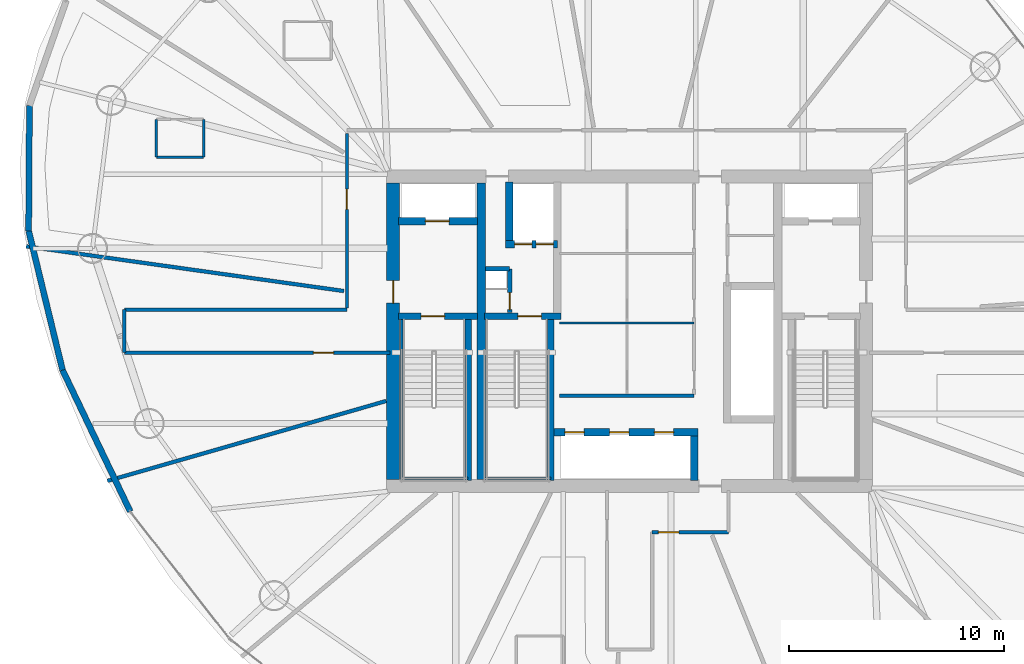
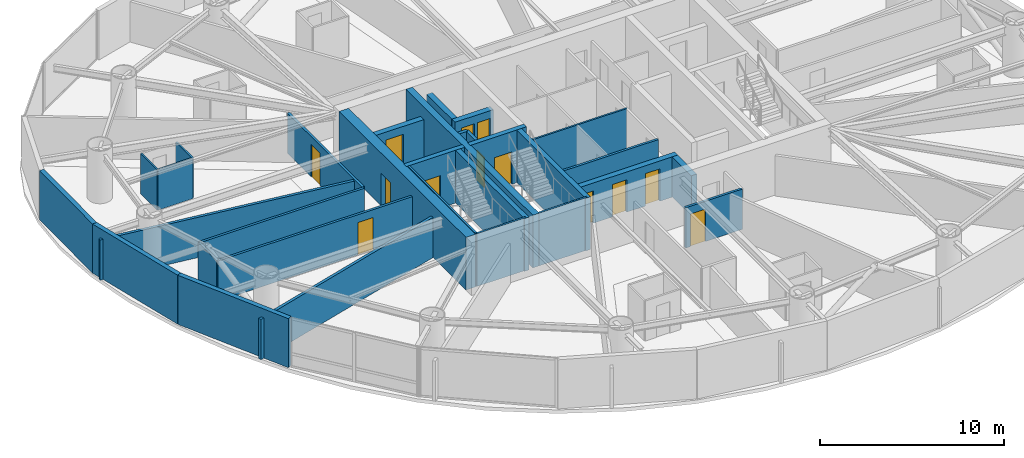
# One storey, part 14 of 20: 31 walls, 13 doors, 13 openings.
"""IFC4 building model written with IfcOpenShell, lengths in metres."""

from ifc_helpers import new_model, si_unit, direction, frame, frame_2d, origin, place, context, subcontext, project, spatial, rectangle, extrude, material, layer, layer_set, type_object, element, fill, save


model = new_model("IFC4")

# Units and contexts
model_context = context("Model", 3, precision=1e-05, world=origin(), true_north=direction((0.0, 1.0)))
body_context = subcontext(model_context, "Body", "Model", "MODEL_VIEW")
ifc_project = project(units=[si_unit("LENGTHUNIT", "METRE"), si_unit("AREAUNIT", "SQUARE_METRE"), si_unit("VOLUMEUNIT", "CUBIC_METRE"), si_unit("PLANEANGLEUNIT", "RADIAN"), si_unit("MASSUNIT", "GRAM", prefix="KILO")], contexts=[model_context])

# Site, building, storey
site_placement = place(None, origin())
site = spatial("IfcSite", under=ifc_project, at=site_placement, CompositionType="ELEMENT")
building_placement = place(site_placement, origin())
building = spatial("IfcBuilding", under=site, at=building_placement, Name="Bramvorn Convention Spire", CompositionType="ELEMENT")
storey_placement = place(building_placement, frame((0.0, 0.0, 151.800048828125)))
storey = spatial("IfcBuildingStorey", under=building, at=storey_placement, Name="L38", CompositionType="ELEMENT", Elevation=151.800048828125)

# Wall, opening, door
ifc_material_1 = material(Name="Concrete C60/70", Category="concrete")
ifc_layer_1 = layer(ifc_material_1, 0.60009765625)
ifc_layer_set_1 = layer_set([ifc_layer_1], Name="Concrete C60/70 - WL-CORE-600")
wall_type_1 = type_object("IfcWallType", Name="WL-CORE-600", PredefinedType="SHEAR", material=ifc_layer_set_1)
wall_1_placement = place(storey_placement, frame((27.0, 19.10009765625, 0.0), z_axis=(0.0, 0.0, 1.0), x_axis=(0.0, 1.0, 0.0)))
wall_1 = element("IfcWall", 1, at=wall_1_placement, inside=storey, type_object=wall_type_1, Name="L38 West RC core shear wall", PredefinedType="SHEAR", context=body_context, shape_type="SweptSolid", body=[
    extrude(rectangle(XDim=13.7998046875, YDim=0.60009765625, at=frame_2d((6.89990234375, 0.0))), origin(), (0.0, 0.0, 1.0), 3.5),
])
opening_1_placement = place(wall_1_placement, frame((8.199951171875, 0.0, 0.0)))
opening_1 = element("IfcOpeningElement", 2, at=opening_1_placement, cuts=wall_1, Name="Opening DL-105", PredefinedType="OPENING", context=body_context, shape_type="SweptSolid", body=[
    extrude(rectangle(XDim=1.050048828125, YDim=2.14990234375, at=frame_2d((0.52490234375, 1.074951171875))), frame((0.0, 0.31005859375, 0.0), z_axis=(0.0, -1.0, 0.0), x_axis=(1.0, 0.0, 0.0)), (0.0, 0.0, 1.0), 0.6201171875),
])
ifc_material_2 = material(Name="Smoke-Sealed Fire Lobby Timber-Core Door", Category="wood")
door_type_1 = type_object("IfcDoorType", Name="DR-LOBBY-1050", OperationType="NOTDEFINED", PredefinedType="DOOR", material=ifc_material_2)
door_1_placement = place(opening_1_placement, origin())
door_1 = element("IfcDoor", 3, at=door_1_placement, inside=storey, type_object=door_type_1, Name="L38 West Firefighting Lobby corridor door", OperationType="SINGLE_SWING_RIGHT", OverallHeight=2.14990234375, OverallWidth=1.050048828125, PredefinedType="DOOR", context=body_context, shape_type="SweptSolid", body=[
    extrude(rectangle(XDim=1.050048828125, YDim=2.14990234375, at=frame_2d((0.52490234375, 1.074951171875))), frame((0.0, 0.02490234375, 0.0), z_axis=(0.0, -1.0, 0.0), x_axis=(1.0, 0.0, 0.0)), (0.0, 0.0, 1.0), 0.050048828125),
])
fill(opening_1, door_1)

ifc_material_3 = material(Name="Concrete C50/60", Category="concrete")
ifc_layer_2 = layer(ifc_material_3, 0.35009765625)
ifc_layer_set_2 = layer_set([ifc_layer_2], Name="Concrete C50/60 - WL-CORE-INT-350")
wall_type_2 = type_object("IfcWallType", Name="WL-CORE-INT-350", PredefinedType="SHEAR", material=ifc_layer_set_2)
wall_2_placement = place(storey_placement, frame((27.25, 31.1201171875, 0.0), z_axis=(0.0, 0.0, 1.0), x_axis=(1.0, 0.0, 0.0)))
wall_2 = element("IfcWall", 4, at=wall_2_placement, inside=storey, type_object=wall_type_2, Name="L38 FE1 shaft front wall", PredefinedType="SHEAR", context=body_context, shape_type="SweptSolid", body=[
    extrude(rectangle(XDim=3.669921875, YDim=0.35009765625, at=frame_2d((1.8349609375, 0.0))), origin(), (0.0, 0.0, 1.0), 2.675048828125),
])
opening_2_placement = place(wall_2_placement, frame((1.25, 0.0, 0.0)))
opening_2 = element("IfcOpeningElement", 5, at=opening_2_placement, cuts=wall_2, Name="Opening LD-110", PredefinedType="OPENING", context=body_context, shape_type="SweptSolid", body=[
    extrude(rectangle(XDim=1.10009765625, YDim=2.14990234375, at=frame_2d((0.550048828125, 1.074951171875))), frame((0.0, 0.18505859375, 0.0), z_axis=(0.0, -1.0, 0.0), x_axis=(1.0, 0.0, 0.0)), (0.0, 0.0, 1.0), 0.3701171875),
])
ifc_material_4 = material(Name="Firefighting & Service Lift Sliding Landing Door", Category="steel")
door_type_2 = type_object("IfcDoorType", Name="DR-LIFT-LD-1100", OperationType="NOTDEFINED", PredefinedType="DOOR", material=ifc_material_4)
door_2_placement = place(opening_2_placement, origin())
door_2 = element("IfcDoor", 6, at=door_2_placement, inside=storey, type_object=door_type_2, Name="L38 Lift FE1 Sliding Landing Door", OperationType="SLIDING_TO_LEFT", OverallHeight=2.14990234375, OverallWidth=1.10009765625, PredefinedType="DOOR", context=body_context, shape_type="SweptSolid", body=[
    extrude(rectangle(XDim=1.10009765625, YDim=2.14990234375, at=frame_2d((0.550048828125, 1.074951171875))), frame((0.0, 0.02490234375, 0.0), z_axis=(0.0, -1.0, 0.0), x_axis=(1.0, 0.0, 0.0)), (0.0, 0.0, 1.0), 0.050048828125),
])
fill(opening_2, door_2)

# Wall, openings, doors
wall_3_placement = place(storey_placement, frame((32.22998046875, 30.050048828125, 0.0), z_axis=(0.0, 0.0, 1.0), x_axis=(1.0, 0.0, 0.0)))
wall_3 = element("IfcWall", 7, at=wall_3_placement, inside=storey, type_object=wall_type_2, Name="L38 SV1/SV2 shaft front wall", PredefinedType="SHEAR", context=body_context, shape_type="SweptSolid", body=[
    extrude(rectangle(XDim=2.409912109375, YDim=0.35009765625, at=frame_2d((1.205078125, 0.0))), origin(), (0.0, 0.0, 1.0), 2.675048828125),
])
opening_3_placement = place(wall_3_placement, frame((0.419921875, 0.0, 0.0)))
opening_3 = element("IfcOpeningElement", 8, at=opening_3_placement, cuts=wall_3, Name="Opening LD-080", PredefinedType="OPENING", context=body_context, shape_type="SweptSolid", body=[
    extrude(rectangle(XDim=0.800048828125, YDim=2.14990234375, at=frame_2d((0.39990234375, 1.074951171875))), frame((0.0, 0.18505859375, 0.0), z_axis=(0.0, -1.0, 0.0), x_axis=(1.0, 0.0, 0.0)), (0.0, 0.0, 1.0), 0.3701171875),
])
opening_4_placement = place(wall_3_placement, frame((1.419921875, 0.0, 0.0)))
opening_4 = element("IfcOpeningElement", 9, at=opening_4_placement, cuts=wall_3, Name="Opening LD-080", PredefinedType="OPENING", context=body_context, shape_type="SweptSolid", body=[
    extrude(rectangle(XDim=0.800048828125, YDim=2.14990234375, at=frame_2d((0.39990234375, 1.074951171875))), frame((0.0, 0.18505859375, 0.0), z_axis=(0.0, -1.0, 0.0), x_axis=(1.0, 0.0, 0.0)), (0.0, 0.0, 1.0), 0.3701171875),
])
ifc_material_5 = material(Name="Service Lift Bi-Parting Landing Door", Category="steel")
door_type_3 = type_object("IfcDoorType", Name="DR-LIFT-LD-800", OperationType="NOTDEFINED", PredefinedType="DOOR", material=ifc_material_5)
door_3_placement = place(opening_3_placement, origin())
door_3 = element("IfcDoor", 10, at=door_3_placement, inside=storey, type_object=door_type_3, Name="L38 Lift SV1 Sliding Landing Door", OperationType="SLIDING_TO_LEFT", OverallHeight=2.14990234375, OverallWidth=0.800048828125, PredefinedType="DOOR", context=body_context, shape_type="SweptSolid", body=[
    extrude(rectangle(XDim=0.800048828125, YDim=2.14990234375, at=frame_2d((0.39990234375, 1.074951171875))), frame((0.0, 0.02490234375, 0.0), z_axis=(0.0, -1.0, 0.0), x_axis=(1.0, 0.0, 0.0)), (0.0, 0.0, 1.0), 0.050048828125),
])
fill(opening_3, door_3)
door_4_placement = place(opening_4_placement, origin())
door_4 = element("IfcDoor", 11, at=door_4_placement, inside=storey, type_object=door_type_3, Name="L38 Lift SV2 Sliding Landing Door", OperationType="SLIDING_TO_LEFT", OverallHeight=2.14990234375, OverallWidth=0.800048828125, PredefinedType="DOOR", context=body_context, shape_type="SweptSolid", body=[
    extrude(rectangle(XDim=0.800048828125, YDim=2.14990234375, at=frame_2d((0.39990234375, 1.074951171875))), frame((0.0, 0.02490234375, 0.0), z_axis=(0.0, -1.0, 0.0), x_axis=(1.0, 0.0, 0.0)), (0.0, 0.0, 1.0), 0.050048828125),
])
fill(opening_4, door_4)

# Wall
wall_4_placement = place(storey_placement, frame((32.39990234375, 30.219970703125, 0.0), z_axis=(0.0, 0.0, 1.0), x_axis=(0.0, 1.0, 0.0)))
element("IfcWall", 12, at=wall_4_placement, inside=storey, type_object=wall_type_2, Name="L38 SV1 west hoistway wall", PredefinedType="SHEAR", context=body_context, shape_type="SweptSolid", body=[
    extrude(rectangle(XDim=2.72998046875, YDim=0.35009765625, at=frame_2d((1.364990234375, 0.0))), origin(), (0.0, 0.0, 1.0), 2.675048828125),
])

# Wall, openings, doors
wall_5_placement = place(storey_placement, frame((34.489990234375, 21.300048828125, 0.0), z_axis=(0.0, 0.0, 1.0), x_axis=(1.0, 0.0, 0.0)))
wall_5 = element("IfcWall", 13, at=wall_5_placement, inside=storey, type_object=wall_type_2, Name="L38 Mid-rise bank north landing wall", PredefinedType="SHEAR", context=body_context, shape_type="SweptSolid", body=[
    extrude(rectangle(XDim=6.679931640625, YDim=0.35009765625, at=frame_2d((3.33984375, 0.0))), origin(), (0.0, 0.0, 1.0), 2.675048828125),
])
opening_5_placement = place(wall_5_placement, frame((0.5, 0.0, 0.0)))
opening_5 = element("IfcOpeningElement", 14, at=opening_5_placement, cuts=wall_5, Name="Opening LD-090", PredefinedType="OPENING", context=body_context, shape_type="SweptSolid", body=[
    extrude(rectangle(XDim=0.89990234375, YDim=2.14990234375, at=frame_2d((0.449951171875, 1.074951171875))), frame((0.0, 0.18505859375, 0.0), z_axis=(0.0, -1.0, 0.0), x_axis=(1.0, 0.0, 0.0)), (0.0, 0.0, 1.0), 0.3701171875),
])
opening_6_placement = place(wall_5_placement, frame((2.580078125, 0.0, 0.0)))
opening_6 = element("IfcOpeningElement", 15, at=opening_6_placement, cuts=wall_5, Name="Opening LD-090", PredefinedType="OPENING", context=body_context, shape_type="SweptSolid", body=[
    extrude(rectangle(XDim=0.89990234375, YDim=2.14990234375, at=frame_2d((0.449951171875, 1.074951171875))), frame((0.0, 0.18505859375, 0.0), z_axis=(0.0, -1.0, 0.0), x_axis=(1.0, 0.0, 0.0)), (0.0, 0.0, 1.0), 0.3701171875),
])
opening_7_placement = place(wall_5_placement, frame((4.659912109375, 0.0, 0.0)))
opening_7 = element("IfcOpeningElement", 16, at=opening_7_placement, cuts=wall_5, Name="Opening LD-090", PredefinedType="OPENING", context=body_context, shape_type="SweptSolid", body=[
    extrude(rectangle(XDim=0.89990234375, YDim=2.14990234375, at=frame_2d((0.449951171875, 1.074951171875))), frame((0.0, 0.18505859375, 0.0), z_axis=(0.0, -1.0, 0.0), x_axis=(1.0, 0.0, 0.0)), (0.0, 0.0, 1.0), 0.3701171875),
])
ifc_material_6 = material(Name="Bi-Parting Fire-Rated Lift Landing Door", Category="steel")
door_type_4 = type_object("IfcDoorType", Name="DR-LIFT-LD-900", OperationType="NOTDEFINED", PredefinedType="DOOR", material=ifc_material_6)
door_5_placement = place(opening_5_placement, origin())
door_5 = element("IfcDoor", 17, at=door_5_placement, inside=storey, type_object=door_type_4, Name="L38 Lift PM1 Sliding Landing Door", OperationType="SLIDING_TO_LEFT", OverallHeight=2.14990234375, OverallWidth=0.89990234375, PredefinedType="DOOR", context=body_context, shape_type="SweptSolid", body=[
    extrude(rectangle(XDim=0.89990234375, YDim=2.14990234375, at=frame_2d((0.449951171875, 1.074951171875))), frame((0.0, 0.02490234375, 0.0), z_axis=(0.0, -1.0, 0.0), x_axis=(1.0, 0.0, 0.0)), (0.0, 0.0, 1.0), 0.050048828125),
])
fill(opening_5, door_5)
door_6_placement = place(opening_6_placement, origin())
door_6 = element("IfcDoor", 18, at=door_6_placement, inside=storey, type_object=door_type_4, Name="L38 Lift PM2 Sliding Landing Door", OperationType="SLIDING_TO_LEFT", OverallHeight=2.14990234375, OverallWidth=0.89990234375, PredefinedType="DOOR", context=body_context, shape_type="SweptSolid", body=[
    extrude(rectangle(XDim=0.89990234375, YDim=2.14990234375, at=frame_2d((0.449951171875, 1.074951171875))), frame((0.0, 0.02490234375, 0.0), z_axis=(0.0, -1.0, 0.0), x_axis=(1.0, 0.0, 0.0)), (0.0, 0.0, 1.0), 0.050048828125),
])
fill(opening_6, door_6)
door_7_placement = place(opening_7_placement, origin())
door_7 = element("IfcDoor", 19, at=door_7_placement, inside=storey, type_object=door_type_4, Name="L38 Lift PM3 Sliding Landing Door", OperationType="SLIDING_TO_LEFT", OverallHeight=2.14990234375, OverallWidth=0.89990234375, PredefinedType="DOOR", context=body_context, shape_type="SweptSolid", body=[
    extrude(rectangle(XDim=0.89990234375, YDim=2.14990234375, at=frame_2d((0.449951171875, 1.074951171875))), frame((0.0, 0.02490234375, 0.0), z_axis=(0.0, -1.0, 0.0), x_axis=(1.0, 0.0, 0.0)), (0.0, 0.0, 1.0), 0.050048828125),
])
fill(opening_7, door_7)

# Walls
wall_6_placement = place(storey_placement, frame((41.0, 19.050048828125, 0.0), z_axis=(0.0, 0.0, 1.0), x_axis=(0.0, 1.0, 0.0)))
element("IfcWall", 20, at=wall_6_placement, inside=storey, type_object=wall_type_2, Name="L38 Mid-rise bank east cheek wall", PredefinedType="SHEAR", context=body_context, shape_type="SweptSolid", body=[
    extrude(rectangle(XDim=2.079833984375, YDim=0.35009765625, at=frame_2d((1.0400390625, 0.0))), origin(), (0.0, 0.0, 1.0), 2.675048828125),
])
ifc_layer_3 = layer(ifc_material_1, 0.39990234375)
ifc_layer_set_3 = layer_set([ifc_layer_3], Name="Concrete C60/70 - WL-CORE-INT-400")
wall_type_3 = type_object("IfcWallType", Name="WL-CORE-INT-400", PredefinedType="SHEAR", material=ifc_layer_set_3)
wall_7_placement = place(storey_placement, frame((31.10009765625, 19.10009765625, 0.0), z_axis=(0.0, 0.0, 1.0), x_axis=(0.0, 1.0, 0.0)))
element("IfcWall", 21, at=wall_7_placement, inside=storey, type_object=wall_type_3, Name="L38 West internal core shear web", PredefinedType="SHEAR", context=body_context, shape_type="SweptSolid", body=[
    extrude(rectangle(XDim=13.7998046875, YDim=0.39990234375, at=frame_2d((6.89990234375, 0.0))), origin(), (0.0, 0.0, 1.0), 3.5),
])
ifc_material_7 = material(Name="Precast Concrete C40/50 with Bronze Terracotta Rainscreen", Category="masonry")
ifc_layer_4 = layer(ifc_material_7, 0.300048828125)
ifc_layer_set_4 = layer_set([ifc_layer_4], Name="Precast Concrete C40/50 with Bronze Terracotta Rainscreen - WL-EXT-BRONZE-300")
wall_type_4 = type_object("IfcWallType", Name="WL-EXT-BRONZE-300", PredefinedType="SOLIDWALL", material=ifc_layer_set_4)
wall_8_placement = place(storey_placement, frame((10.048583984375, 30.667724609375, 0.0), z_axis=(0.0, 0.0, 1.0), x_axis=(0.006205331259, 0.999980746747, 0.0)))
element("IfcWall", 22, at=wall_8_placement, inside=storey, type_object=wall_type_4, Name="L38 expressed bronze Gothic lancet pier wall 14", PredefinedType="SOLIDWALL", context=body_context, shape_type="SweptSolid", body=[
    extrude(rectangle(XDim=5.82275390625, YDim=0.280029296875, at=frame_2d((2.911376953125, 0.0))), origin(), (0.0, 0.0, 1.0), 3.260009765625),
])
wall_9_placement = place(storey_placement, frame((11.62548828125, 24.19189453125, 0.0), z_axis=(0.0, 0.0, 1.0), x_axis=(-0.236592723123, 0.971608914824, 0.0)))
element("IfcWall", 23, at=wall_9_placement, inside=storey, type_object=wall_type_4, Name="L38 expressed bronze Gothic lancet pier wall 15", PredefinedType="SOLIDWALL", context=body_context, shape_type="SweptSolid", body=[
    extrude(rectangle(XDim=6.6650390625, YDim=0.280029296875, at=frame_2d((3.33251953125, 0.0))), origin(), (0.0, 0.0, 1.0), 3.260009765625),
])
wall_10_placement = place(storey_placement, frame((14.773193359375, 17.614501953125, 0.0), z_axis=(0.0, 0.0, 1.0), x_axis=(-0.431678214031, 0.902027671156, 0.0)))
element("IfcWall", 24, at=wall_10_placement, inside=storey, type_object=wall_type_4, Name="L38 expressed bronze Gothic lancet pier wall 16", PredefinedType="SOLIDWALL", context=body_context, shape_type="SweptSolid", body=[
    extrude(rectangle(XDim=7.291748046875, YDim=0.280029296875, at=frame_2d((3.64599609375, 0.0))), origin(), (0.0, 0.0, 1.0), 3.260009765625),
])
ifc_material_8 = material(Name="Lightweight En-Suite & Wet-Wall Partition", Category="gypsum")
ifc_layer_5 = layer(ifc_material_8, 0.110107421875)
ifc_layer_set_5 = layer_set([ifc_layer_5], Name="Lightweight En-Suite & Wet-Wall Partition - WL-PART-110")
wall_type_5 = type_object("IfcWallType", Name="WL-PART-110", PredefinedType="PARTITIONING", material=ifc_layer_set_5)
wall_11_placement = place(storey_placement, frame((34.75, 26.382080078125, 0.0), z_axis=(0.0, 0.0, 1.0), x_axis=(1.0, 0.0, 0.0)))
element("IfcWall", 25, at=wall_11_placement, inside=storey, type_object=wall_type_5, Name="L38 KB divider 1", PredefinedType="PARTITIONING", context=body_context, shape_type="SweptSolid", body=[
    extrude(rectangle(XDim=6.25, YDim=0.110107421875, at=frame_2d((3.125, 0.0))), origin(), (0.0, 0.0, 1.0), 2.675048828125),
])
wall_12_placement = place(storey_placement, frame((15.98876953125, 34.0966796875, 0.0), z_axis=(0.0, 0.0, 1.0), x_axis=(1.0, 0.0, 0.0)))
element("IfcWall", 26, at=wall_12_placement, inside=storey, type_object=wall_type_5, Name="Hotel Suite 3807 en-suite south wall", PredefinedType="PARTITIONING", context=body_context, shape_type="SweptSolid", body=[
    extrude(rectangle(XDim=2.199951171875, YDim=0.110107421875, at=frame_2d((1.10009765625, 0.0))), origin(), (0.0, 0.0, 1.0), 2.675048828125),
])
for number, where, z_axis, x_axis, name in (
    (27, (15.98876953125, 34.0966796875, 0.0), (0.0, 0.0, 1.0), (0.0, 1.0, 0.0), "Hotel Suite 3807 en-suite west wall"),
    (28, (18.188720703125, 34.0966796875, 0.0), (0.0, 0.0, 1.0), (0.0, 1.0, 0.0), "Hotel Suite 3807 en-suite east wall"),
):
    element("IfcWall", number, at=place(storey_placement, frame(where, z_axis=z_axis, x_axis=x_axis)), inside=storey, type_object=wall_type_5, Name=name, PredefinedType="PARTITIONING", context=body_context, shape_type="SweptSolid", body=[
        extrude(rectangle(XDim=1.760009765625, YDim=0.110107421875, at=frame_2d((0.8798828125, 0.0))), origin(), (0.0, 0.0, 1.0), 2.675048828125),
    ])
ifc_material_9 = material(Name="Acoustic Metal-Stud Tenant/Corridor Partition", Category="gypsum")
ifc_layer_6 = layer(ifc_material_9, 0.14990234375)
ifc_layer_set_6 = layer_set([ifc_layer_6], Name="Acoustic Metal-Stud Tenant/Corridor Partition - WL-PART-150")
wall_type_6 = type_object("IfcWallType", Name="WL-PART-150", PredefinedType="PARTITIONING", material=ifc_layer_set_6)
wall_13_placement = place(storey_placement, frame((34.75, 23.0, 0.0), z_axis=(0.0, 0.0, 1.0), x_axis=(1.0, 0.0, 0.0)))
element("IfcWall", 29, at=wall_13_placement, inside=storey, type_object=wall_type_6, Name="L38 Mid-rise lift vestibule north wall", PredefinedType="PARTITIONING", context=body_context, shape_type="SweptSolid", body=[
    extrude(rectangle(XDim=6.25, YDim=0.14990234375, at=frame_2d((3.125, 0.0))), origin(), (0.0, 0.0, 1.0), 2.675048828125),
])

# Wall, opening, door
wall_14_placement = place(storey_placement, frame((24.85009765625, 27.080078125, 0.0), z_axis=(0.0, 0.0, 1.0), x_axis=(0.0, 1.0, 0.0)))
wall_14 = element("IfcWall", 30, at=wall_14_placement, inside=storey, type_object=wall_type_6, Name="L38 NW gallery cheek", PredefinedType="PARTITIONING", context=body_context, shape_type="SweptSolid", body=[
    extrude(rectangle(XDim=8.119873046875, YDim=0.14990234375, at=frame_2d((4.06005859375, 0.0))), origin(), (0.0, 0.0, 1.0), 2.675048828125),
])
opening_8_placement = place(wall_14_placement, frame((4.580322265625, 0.0, 0.0)))
opening_8 = element("IfcOpeningElement", 31, at=opening_8_placement, cuts=wall_14, Name="Opening DH-095", PredefinedType="OPENING", context=body_context, shape_type="SweptSolid", body=[
    extrude(rectangle(XDim=0.949951171875, YDim=2.14990234375, at=frame_2d((0.47509765625, 1.074951171875))), frame((0.0, 0.0849609375, 0.0), z_axis=(0.0, -1.0, 0.0), x_axis=(1.0, 0.0, 0.0)), (0.0, 0.0, 1.0), 0.169921875),
])
ifc_material_10 = material(Name="Solid-Core Acoustic Guestroom Entry Door", Category="wood")
door_type_5 = type_object("IfcDoorType", Name="DR-HOTEL-950", OperationType="NOTDEFINED", PredefinedType="DOOR", material=ifc_material_10)
door_8_placement = place(opening_8_placement, origin())
door_8 = element("IfcDoor", 32, at=door_8_placement, inside=storey, type_object=door_type_5, Name="Hotel Suite 3807 entry door", OperationType="SINGLE_SWING_LEFT", OverallHeight=2.14990234375, OverallWidth=0.949951171875, PredefinedType="DOOR", context=body_context, shape_type="SweptSolid", body=[
    extrude(rectangle(XDim=0.949951171875, YDim=2.14990234375, at=frame_2d((0.47509765625, 1.074951171875))), frame((0.0, 0.02490234375, 0.0), z_axis=(0.0, -1.0, 0.0), x_axis=(1.0, 0.0, 0.0)), (0.0, 0.0, 1.0), 0.050048828125),
])
fill(opening_8, door_8)

# Wall
wall_15_placement = place(storey_placement, frame((14.5, 27.0, 0.0), z_axis=(0.0, 0.0, 1.0), x_axis=(1.0, 0.0, 0.0)))
element("IfcWall", 33, at=wall_15_placement, inside=storey, type_object=wall_type_6, Name="L38 West wing spine north wall", PredefinedType="PARTITIONING", context=body_context, shape_type="SweptSolid", body=[
    extrude(rectangle(XDim=10.35009765625, YDim=0.14990234375, at=frame_2d((5.175048828125, 0.0))), origin(), (0.0, 0.0, 1.0), 2.675048828125),
])

# Wall, opening, door
wall_16_placement = place(storey_placement, frame((14.5, 25.0, 0.0), z_axis=(0.0, 0.0, 1.0), x_axis=(1.0, 0.0, 0.0)))
wall_16 = element("IfcWall", 34, at=wall_16_placement, inside=storey, type_object=wall_type_6, Name="L38 West wing spine south wall", PredefinedType="PARTITIONING", context=body_context, shape_type="SweptSolid", body=[
    extrude(rectangle(XDim=12.35009765625, YDim=0.14990234375, at=frame_2d((6.175048828125, 0.0))), origin(), (0.0, 0.0, 1.0), 2.675048828125),
])
opening_9_placement = place(wall_16_placement, frame((8.78759765625, 0.0, 0.0)))
opening_9 = element("IfcOpeningElement", 35, at=opening_9_placement, cuts=wall_16, Name="Opening DH-095", PredefinedType="OPENING", context=body_context, shape_type="SweptSolid", body=[
    extrude(rectangle(XDim=0.949951171875, YDim=2.14990234375, at=frame_2d((0.47509765625, 1.074951171875))), frame((0.0, 0.0849609375, 0.0), z_axis=(0.0, -1.0, 0.0), x_axis=(1.0, 0.0, 0.0)), (0.0, 0.0, 1.0), 0.169921875),
])
door_9_placement = place(opening_9_placement, origin())
door_9 = element("IfcDoor", 36, at=door_9_placement, inside=storey, type_object=door_type_5, Name="Hotel Suite 3808 entry door", OperationType="SINGLE_SWING_LEFT", OverallHeight=2.14990234375, OverallWidth=0.949951171875, PredefinedType="DOOR", context=body_context, shape_type="SweptSolid", body=[
    extrude(rectangle(XDim=0.949951171875, YDim=2.14990234375, at=frame_2d((0.47509765625, 1.074951171875))), frame((0.0, 0.02490234375, 0.0), z_axis=(0.0, -1.0, 0.0), x_axis=(1.0, 0.0, 0.0)), (0.0, 0.0, 1.0), 0.050048828125),
])
fill(opening_9, door_9)

# Wall
wall_17_placement = place(storey_placement, frame((14.5, 25.0, 0.0), z_axis=(0.0, 0.0, 1.0), x_axis=(0.0, 1.0, 0.0)))
element("IfcWall", 37, at=wall_17_placement, inside=storey, type_object=wall_type_6, Name="L38 West wing spine end wall", PredefinedType="PARTITIONING", context=body_context, shape_type="SweptSolid", body=[
    extrude(rectangle(XDim=2.0, YDim=0.14990234375, at=frame_2d((1.0, 0.0))), origin(), (0.0, 0.0, 1.0), 2.675048828125),
])

# Wall, opening, door
wall_18_placement = place(storey_placement, frame((39.050048828125, 16.64990234375, 0.0), z_axis=(0.0, 0.0, 1.0), x_axis=(1.0, 0.0, 0.0)))
wall_18 = element("IfcWall", 38, at=wall_18_placement, inside=storey, type_object=wall_type_6, Name="L38 South lift lobby link wall", PredefinedType="PARTITIONING", context=body_context, shape_type="SweptSolid", body=[
    extrude(rectangle(XDim=3.550048828125, YDim=0.14990234375, at=frame_2d((1.77490234375, 0.0))), origin(), (0.0, 0.0, 1.0), 2.675048828125),
])
opening_10_placement = place(wall_18_placement, frame((0.293212890625, 0.0, 0.0)))
opening_10 = element("IfcOpeningElement", 39, at=opening_10_placement, cuts=wall_18, Name="Opening DH-095", PredefinedType="OPENING", context=body_context, shape_type="SweptSolid", body=[
    extrude(rectangle(XDim=0.949951171875, YDim=2.14990234375, at=frame_2d((0.47509765625, 1.074951171875))), frame((0.0, 0.0849609375, 0.0), z_axis=(0.0, -1.0, 0.0), x_axis=(1.0, 0.0, 0.0)), (0.0, 0.0, 1.0), 0.169921875),
])
door_10_placement = place(opening_10_placement, origin())
door_10 = element("IfcDoor", 40, at=door_10_placement, inside=storey, type_object=door_type_5, Name="Hotel Suite 3812 entry door", OperationType="SINGLE_SWING_RIGHT", OverallHeight=2.14990234375, OverallWidth=0.949951171875, PredefinedType="DOOR", context=body_context, shape_type="SweptSolid", body=[
    extrude(rectangle(XDim=0.949951171875, YDim=2.14990234375, at=frame_2d((0.47509765625, 1.074951171875))), frame((0.0, 0.02490234375, 0.0), z_axis=(0.0, -1.0, 0.0), x_axis=(1.0, 0.0, 0.0)), (0.0, 0.0, 1.0), 0.050048828125),
])
fill(opening_10, door_10)

# Walls
ifc_material_11 = material(Name="Double-Stud Acoustic Hotel/Suite Partition", Category="gypsum")
ifc_layer_7 = layer(ifc_material_11, 0.175048828125)
ifc_layer_set_7 = layer_set([ifc_layer_7], Name="Double-Stud Acoustic Hotel/Suite Partition - WL-PART-175")
wall_type_7 = type_object("IfcWallType", Name="WL-PART-175", PredefinedType="PARTITIONING", material=ifc_layer_set_7)
wall_19_placement = place(storey_placement, frame((24.7099609375, 27.867919921875, 0.0), z_axis=(0.0, 0.0, 1.0), x_axis=(-0.990268949967, 0.139166830573, 0.0)))
element("IfcWall", 41, at=wall_19_placement, inside=storey, type_object=wall_type_7, Name="L38 Guestroom demising wall 8", PredefinedType="PARTITIONING", context=body_context, shape_type="SweptSolid", body=[
    extrude(rectangle(XDim=14.92041015625, YDim=0.175048828125, at=frame_2d((7.460205078125, 0.0))), origin(), (0.0, 0.0, 1.0), 2.675048828125),
])
wall_20_placement = place(storey_placement, frame((26.679931640625, 22.75390625, 0.0), z_axis=(0.0, 0.0, 1.0), x_axis=(-0.961264003177, -0.275629309393, 0.0)))
element("IfcWall", 42, at=wall_20_placement, inside=storey, type_object=wall_type_7, Name="L38 Guestroom demising wall 9", PredefinedType="PARTITIONING", context=body_context, shape_type="SweptSolid", body=[
    extrude(rectangle(XDim=13.489990234375, YDim=0.175048828125, at=frame_2d((6.7451171875, 0.0))), origin(), (0.0, 0.0, 1.0), 2.675048828125),
])

# Wall, opening, door
ifc_material_12 = material(Name="Gypsum Shaftwall & Rockwool Core Partition", Category="gypsum")
ifc_layer_8 = layer(ifc_material_12, 0.199951171875)
ifc_layer_set_8 = layer_set([ifc_layer_8], Name="Gypsum Shaftwall & Rockwool Core Partition - WL-PART-200-FR")
wall_type_8 = type_object("IfcWallType", Name="WL-PART-200-FR", PredefinedType="PARTITIONING", material=ifc_layer_set_8)
wall_21_placement = place(storey_placement, frame((32.419921875, 26.860107421875, 0.0), z_axis=(0.0, 0.0, 1.0), x_axis=(0.0, 1.0, 0.0)))
wall_21 = element("IfcWall", 43, at=wall_21_placement, inside=storey, type_object=wall_type_8, Name="L38 Telecom riser east wall", PredefinedType="PARTITIONING", context=body_context, shape_type="SweptSolid", body=[
    extrude(rectangle(XDim=2.039794921875, YDim=0.199951171875, at=frame_2d((1.02001953125, 0.0))), origin(), (0.0, 0.0, 1.0), 2.675048828125),
])
opening_11_placement = place(wall_21_placement, frame((0.139892578125, 0.0, 0.0)))
opening_11 = element("IfcOpeningElement", 44, at=opening_11_placement, cuts=wall_21, Name="Opening DR-080", PredefinedType="OPENING", context=body_context, shape_type="SweptSolid", body=[
    extrude(rectangle(XDim=0.800048828125, YDim=2.050048828125, at=frame_2d((0.39990234375, 1.02490234375))), frame((0.0, 0.10986328125, 0.0), z_axis=(0.0, -1.0, 0.0), x_axis=(1.0, 0.0, 0.0)), (0.0, 0.0, 1.0), 0.219970703125),
])
ifc_material_13 = material(Name="Flush Steel Riser Access Door", Category="steel")
door_type_6 = type_object("IfcDoorType", Name="DR-RISER-800", OperationType="NOTDEFINED", PredefinedType="DOOR", material=ifc_material_13)
door_11_placement = place(opening_11_placement, origin())
door_11 = element("IfcDoor", 45, at=door_11_placement, inside=storey, type_object=door_type_6, Name="L38 Telecom riser access door", OperationType="SINGLE_SWING_RIGHT", OverallHeight=2.050048828125, OverallWidth=0.800048828125, PredefinedType="DOOR", context=body_context, shape_type="SweptSolid", body=[
    extrude(rectangle(XDim=0.800048828125, YDim=2.050048828125, at=frame_2d((0.39990234375, 1.02490234375))), frame((0.0, 0.02490234375, 0.0), z_axis=(0.0, -1.0, 0.0), x_axis=(1.0, 0.0, 0.0)), (0.0, 0.0, 1.0), 0.050048828125),
])
fill(opening_11, door_11)

# Wall
wall_22_placement = place(storey_placement, frame((31.300048828125, 28.89990234375, 0.0), z_axis=(0.0, 0.0, 1.0), x_axis=(1.0, 0.0, 0.0)))
element("IfcWall", 46, at=wall_22_placement, inside=storey, type_object=wall_type_8, Name="L38 Telecom riser north wall", PredefinedType="PARTITIONING", context=body_context, shape_type="SweptSolid", body=[
    extrude(rectangle(XDim=1.119873046875, YDim=0.199951171875, at=frame_2d((0.56005859375, 0.0))), origin(), (0.0, 0.0, 1.0), 2.675048828125),
])

# Wall, opening, door
ifc_layer_9 = layer(ifc_material_3, 0.300048828125)
ifc_layer_set_9 = layer_set([ifc_layer_9], Name="Concrete C50/60 - WL-POD-STAIR-300")
wall_type_9 = type_object("IfcWallType", Name="WL-POD-STAIR-300", PredefinedType="SHEAR", material=ifc_layer_set_9)
wall_23_placement = place(storey_placement, frame((27.25, 26.68994140625, 0.0), z_axis=(0.0, 0.0, 1.0), x_axis=(1.0, 0.0, 0.0)))
wall_23 = element("IfcWall", 47, at=wall_23_placement, inside=storey, type_object=wall_type_9, Name="L38 ST1 north fire wall", PredefinedType="SHEAR", context=body_context, shape_type="SweptSolid", body=[
    extrude(rectangle(XDim=3.669921875, YDim=0.300048828125, at=frame_2d((1.8349609375, 0.0))), origin(), (0.0, 0.0, 1.0), 3.5),
])
opening_12_placement = place(wall_23_placement, frame((1.050048828125, 0.0, 0.0)))
opening_12 = element("IfcOpeningElement", 48, at=opening_12_placement, cuts=wall_23, Name="Opening DS-110", PredefinedType="OPENING", context=body_context, shape_type="SweptSolid", body=[
    extrude(rectangle(XDim=1.10009765625, YDim=2.14990234375, at=frame_2d((0.550048828125, 1.074951171875))), frame((0.0, 0.159912109375, 0.0), z_axis=(0.0, -1.0, 0.0), x_axis=(1.0, 0.0, 0.0)), (0.0, 0.0, 1.0), 0.320068359375),
])
ifc_material_14 = material(Name="Fire-Rated Hollow Steel Stairwell Door", Category="steel")
door_type_7 = type_object("IfcDoorType", Name="DR-STAIR-1100", OperationType="NOTDEFINED", PredefinedType="DOOR", material=ifc_material_14)
door_12_placement = place(opening_12_placement, origin())
door_12 = element("IfcDoor", 49, at=door_12_placement, inside=storey, type_object=door_type_7, Name="L38 Stair ST1 fire door", OperationType="SINGLE_SWING_LEFT", OverallHeight=2.14990234375, OverallWidth=1.10009765625, PredefinedType="DOOR", context=body_context, shape_type="SweptSolid", body=[
    extrude(rectangle(XDim=1.10009765625, YDim=2.14990234375, at=frame_2d((0.550048828125, 1.074951171875))), frame((0.0, 0.02490234375, 0.0), z_axis=(0.0, -1.0, 0.0), x_axis=(1.0, 0.0, 0.0)), (0.0, 0.0, 1.0), 0.050048828125),
])
fill(opening_12, door_12)

# Walls
for number, where, z_axis, x_axis, name in (
    (50, (30.489990234375, 19.050048828125, 0.0), (0.0, 0.0, 1.0), (0.0, 1.0, 0.0), "L38 ST1 east bearing wall"),
    (51, (34.340087890625, 19.050048828125, 0.0), (0.0, 0.0, 1.0), (0.0, 1.0, 0.0), "L38 ST3 east bearing wall"),
):
    element("IfcWall", number, at=place(storey_placement, frame(where, z_axis=z_axis, x_axis=x_axis)), inside=storey, type_object=wall_type_9, Name=name, PredefinedType="SHEAR", context=body_context, shape_type="SweptSolid", body=[
        extrude(rectangle(XDim=7.5, YDim=0.300048828125, at=frame_2d((3.75, 0.0))), origin(), (0.0, 0.0, 1.0), 3.5),
    ])

# Wall, opening, door
wall_24_placement = place(storey_placement, frame((31.25, 26.68994140625, 0.0), z_axis=(0.0, 0.0, 1.0), x_axis=(1.0, 0.0, 0.0)))
wall_24 = element("IfcWall", 52, at=wall_24_placement, inside=storey, type_object=wall_type_9, Name="L38 ST3 north lobby wall", PredefinedType="SHEAR", context=body_context, shape_type="SweptSolid", body=[
    extrude(rectangle(XDim=3.56005859375, YDim=0.300048828125, at=frame_2d((1.780029296875, 0.0))), origin(), (0.0, 0.0, 1.0), 3.5),
])
opening_13_placement = place(wall_24_placement, frame((1.550048828125, 0.0, 0.0)))
opening_13 = element("IfcOpeningElement", 53, at=opening_13_placement, cuts=wall_24, Name="Opening DS-110", PredefinedType="OPENING", context=body_context, shape_type="SweptSolid", body=[
    extrude(rectangle(XDim=1.10009765625, YDim=2.14990234375, at=frame_2d((0.550048828125, 1.074951171875))), frame((0.0, 0.159912109375, 0.0), z_axis=(0.0, -1.0, 0.0), x_axis=(1.0, 0.0, 0.0)), (0.0, 0.0, 1.0), 0.320068359375),
])
door_13_placement = place(opening_13_placement, origin())
door_13 = element("IfcDoor", 54, at=door_13_placement, inside=storey, type_object=door_type_7, Name="L38 Stair ST3 fire door", OperationType="SINGLE_SWING_LEFT", OverallHeight=2.14990234375, OverallWidth=1.10009765625, PredefinedType="DOOR", context=body_context, shape_type="SweptSolid", body=[
    extrude(rectangle(XDim=1.10009765625, YDim=2.14990234375, at=frame_2d((0.550048828125, 1.074951171875))), frame((0.0, 0.02490234375, 0.0), z_axis=(0.0, -1.0, 0.0), x_axis=(1.0, 0.0, 0.0)), (0.0, 0.0, 1.0), 0.050048828125),
])
fill(opening_13, door_13)

# Walls
ifc_layer_10 = layer(ifc_material_3, 0.1201171875)
ifc_layer_set_10 = layer_set([ifc_layer_10], Name="Concrete C50/60 - WL-STAIR-RC-120")
wall_type_10 = type_object("IfcWallType", Name="WL-STAIR-RC-120", PredefinedType="SHEAR", material=ifc_layer_set_10)
wall_25_placement = place(storey_placement, frame((27.39501953125, 19.10009765625, 0.0), z_axis=(0.0, 0.0, 1.0), x_axis=(0.0, 1.0, 0.0)))
element("IfcWall", 55, at=wall_25_placement, inside=storey, type_object=wall_type_10, Name="L38 ST1 west bearing shear wall", PredefinedType="SHEAR", context=body_context, shape_type="SweptSolid", body=[
    extrude(rectangle(XDim=7.449951171875, YDim=0.1201171875, at=frame_2d((3.72509765625, 0.0))), origin(), (0.0, 0.0, 1.0), 3.5),
])
wall_26_placement = place(storey_placement, frame((27.39501953125, 19.159912109375, 0.0), z_axis=(0.0, 0.0, 1.0), x_axis=(1.0, 0.0, 0.0)))
element("IfcWall", 56, at=wall_26_placement, inside=storey, type_object=wall_type_10, Name="L38 ST1 south bearing shear wall", PredefinedType="SHEAR", context=body_context, shape_type="SweptSolid", body=[
    extrude(rectangle(XDim=3.094970703125, YDim=0.1201171875, at=frame_2d((1.54736328125, 0.0))), origin(), (0.0, 0.0, 1.0), 3.5),
])
wall_27_placement = place(storey_placement, frame((31.300048828125, 19.159912109375, 0.0), z_axis=(0.0, 0.0, 1.0), x_axis=(1.0, 0.0, 0.0)))
element("IfcWall", 57, at=wall_27_placement, inside=storey, type_object=wall_type_10, Name="L38 ST3 south bearing shear wall", PredefinedType="SHEAR", context=body_context, shape_type="SweptSolid", body=[
    extrude(rectangle(XDim=3.0400390625, YDim=0.1201171875, at=frame_2d((1.52001953125, 0.0))), origin(), (0.0, 0.0, 1.0), 3.5),
])

save(model, "model.ifc")
